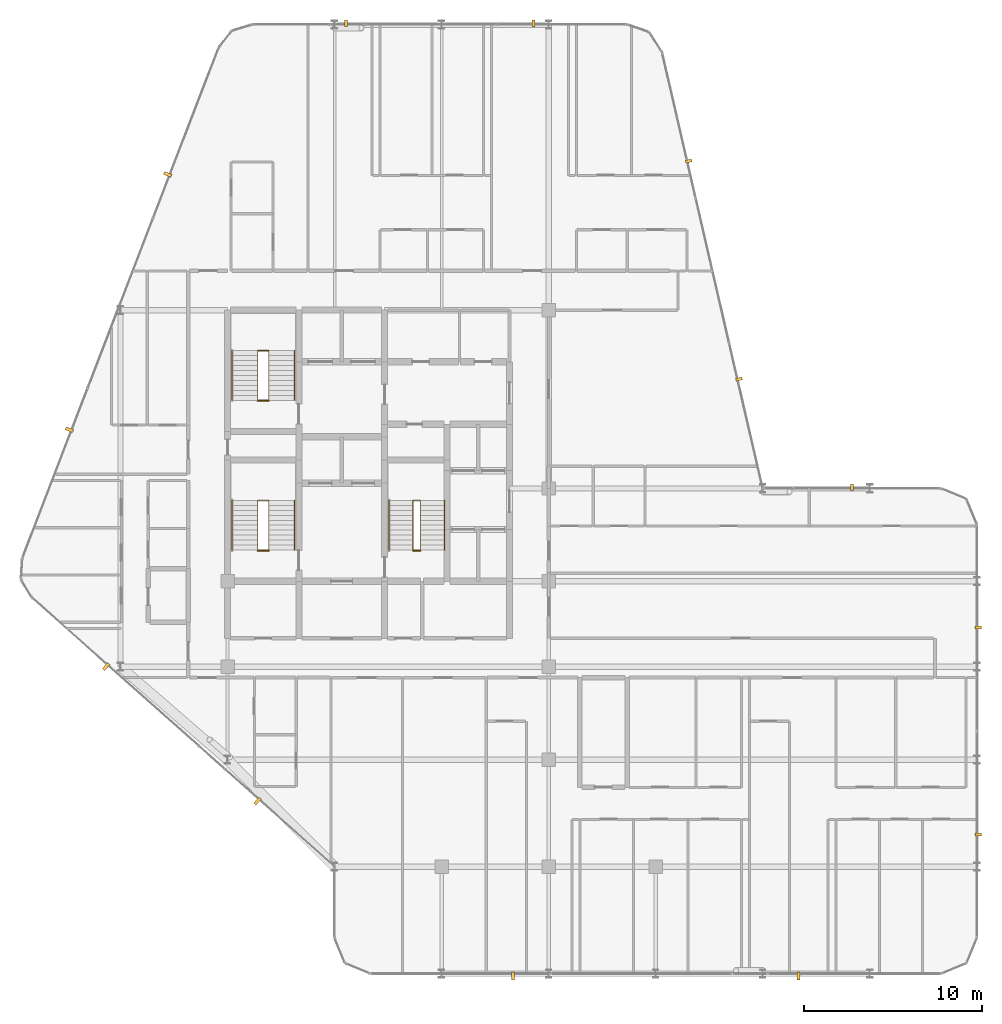
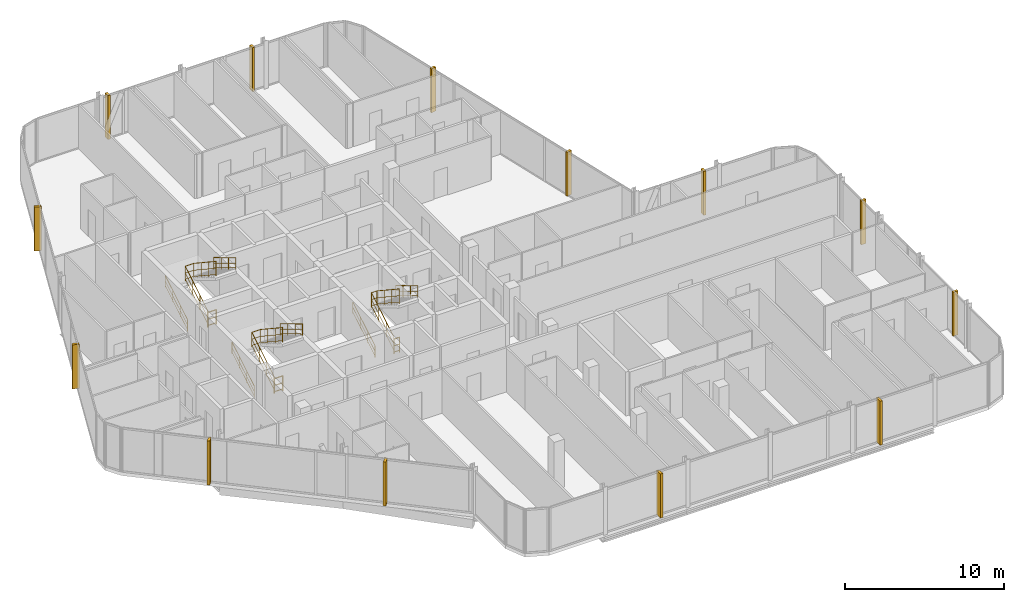
# One storey, part 29 of 29: 13 coverings, 12 railings.
"""IFC4 building model written with IfcOpenShell, lengths in metres."""

from ifc_helpers import new_model, si_unit, direction, frame, origin, origin_2d, place, context, subcontext, project, spatial, rectangle, circle, extrude, material, layer, layer_set, type_object, element, save


model = new_model("IFC4")

# Units and contexts
model_context = context("Model", 3, precision=1e-05, world=origin(), true_north=direction((0.0, 1.0)))
body_context = subcontext(model_context, "Body", "Model", "MODEL_VIEW")
ifc_project = project(units=[si_unit("LENGTHUNIT", "METRE"), si_unit("AREAUNIT", "SQUARE_METRE"), si_unit("VOLUMEUNIT", "CUBIC_METRE"), si_unit("PLANEANGLEUNIT", "RADIAN"), si_unit("MASSUNIT", "GRAM", prefix="KILO")], contexts=[model_context])

# Site, building, storey
site_placement = place(None, origin())
site = spatial("IfcSite", under=ifc_project, at=site_placement, CompositionType="ELEMENT")
building_placement = place(site_placement, origin())
building = spatial("IfcBuilding", under=site, at=building_placement, Name="Keshet Zoharim Tower", CompositionType="ELEMENT")
storey_placement = place(building_placement, frame((0.0, 0.0, 210.60009765625)))
storey = spatial("IfcBuildingStorey", under=building, at=storey_placement, Name="L52", CompositionType="ELEMENT", Elevation=210.60009765625)

# Coverings
ifc_material_1 = material(Name="Concrete C50/60 precast", Category="concrete")
covering_type_1 = type_object("IfcCoveringType", Name="FIN-SOL-360", PredefinedType="CLADDING", material=ifc_material_1)
for number, where, z_axis, x_axis, name in (
    (1, (57.080078125, 20.10009765625, 0.0), (0.0, 0.0, 1.0), (0.0, -1.0, 0.0), "L52 Vertical Precast Solar Fin 01"),
    (2, (57.080078125, 8.5, 0.0), (0.0, 0.0, 1.0), (0.0, -1.0, 0.0), "L52 Vertical Precast Solar Fin 02"),
    (3, (21.633056640625, 53.97998046875, 0.0), (0.0, 0.0, 1.0), (1.0, 0.0, 0.0), "L52 Vertical Precast Solar Fin 09"),
    (4, (32.14990234375, 53.97998046875, 0.0), (0.0, 0.0, 1.0), (1.0, 0.0, 0.0), "L52 Vertical Precast Solar Fin 10"),
    (5, (40.845947265625, 46.2548828125, 0.0), (0.0, 0.0, 1.0), (0.224847864369, -0.974393882313, 0.0), "L52 Vertical Precast Solar Fin 11"),
    (6, (43.6669921875, 34.030029296875, 0.0), (0.0, 0.0, 1.0), (0.224847864369, -0.974393882313, 0.0), "L52 Vertical Precast Solar Fin 12"),
    (7, (50.0, 27.97998046875, 0.0), (0.0, 0.0, 1.0), (1.0, 0.0, 0.0), "L52 Vertical Precast Solar Fin 13"),
):
    element("IfcCovering", number, at=place(storey_placement, frame(where, z_axis=z_axis, x_axis=x_axis)), inside=storey, type_object=covering_type_1, Name=name, PredefinedType="CLADDING", context=body_context, shape_type="SweptSolid", body=[
        extrude(rectangle(XDim=0.159912109375, YDim=0.360107421875, at=origin_2d()), origin(), (0.0, 0.0, 1.0), 3.389892578125),
    ])
covering_type_2 = type_object("IfcCoveringType", Name="FIN-SOL-450", PredefinedType="CLADDING", material=ifc_material_1)
for number, where, z_axis, x_axis, name in (
    (8, (47.0, 0.574951171875, 0.0), (0.0, 0.0, 1.0), (-1.0, 0.0, 0.0), "L52 Vertical Precast Solar Fin 03"),
    (9, (31.0, 0.574951171875, 0.0), (0.0, 0.0, 1.0), (-1.0, 0.0, 0.0), "L52 Vertical Precast Solar Fin 04"),
    (10, (16.676025390625, 10.376953125, 0.0), (0.0, 0.0, 1.0), (-0.747409318679, 0.664363838836, 0.0), "L52 Vertical Precast Solar Fin 05"),
    (11, (8.193115234375, 17.9169921875, 0.0), (0.0, 0.0, 1.0), (-0.747409318679, 0.664363838836, 0.0), "L52 Vertical Precast Solar Fin 06"),
    (12, (6.133056640625, 31.194091796875, 0.0), (0.0, 0.0, 1.0), (0.358990003907, 0.933341404361, 0.0), "L52 Vertical Precast Solar Fin 07"),
    (13, (11.637939453125, 45.507080078125, 0.0), (0.0, 0.0, 1.0), (0.358990003907, 0.933341404361, 0.0), "L52 Vertical Precast Solar Fin 08"),
):
    element("IfcCovering", number, at=place(storey_placement, frame(where, z_axis=z_axis, x_axis=x_axis)), inside=storey, type_object=covering_type_2, Name=name, PredefinedType="CLADDING", context=body_context, shape_type="SweptSolid", body=[
        extrude(rectangle(XDim=0.179931640625, YDim=0.449951171875, at=origin_2d()), origin(), (0.0, 0.0, 1.0), 3.389892578125),
    ])

# Railings
ifc_material_2 = material(Name="Steel S355", Category="steel")
ifc_layer_1 = layer(ifc_material_2, 0.050048828125)
ifc_layer_set_1 = layer_set([ifc_layer_1], Name="Steel S355")
railing_type_1 = type_object("IfcRailingType", Name="RL-HND-092", PredefinedType="HANDRAIL", material=ifc_layer_set_1)
railing_1_placement = place(storey_placement, frame((15.239990234375, 24.43994140625, 0.168212890625)))
element("IfcRailing", 14, at=railing_1_placement, inside=storey, type_object=railing_type_1, Name="L52 ST-01 Flight 1 Wall Handrail", PredefinedType="HANDRAIL", context=body_context, shape_type="SweptSolid", body=[
    extrude(circle(Radius=0.02392578125, at=origin_2d()), frame((0.0, 0.0, 0.89599609375), z_axis=(0.0, 0.857275202839, 0.514858452973), x_axis=(-1.0, 0.0, 0.0)), (0.0, 0.0, 1.0), 3.26611328125),
    extrude(circle(Radius=0.01611328125, at=origin_2d()), frame((0.0, 0.0, 0.478271484375), z_axis=(0.0, 0.857275202839, 0.514858452973), x_axis=(-1.0, 0.0, 0.0)), (0.0, 0.0, 1.0), 3.26611328125),
    extrude(circle(Radius=0.01611328125, at=origin_2d()), frame((0.0, 0.0, 0.1201171875), z_axis=(0.0, 0.857275202839, 0.514858452973), x_axis=(-1.0, 0.0, 0.0)), (0.0, 0.0, 1.0), 3.26611328125),
    extrude(circle(Radius=0.02099609375, at=origin_2d()), origin(), (0.0, 0.0, 1.0), 0.871826171875),
    extrude(circle(Radius=0.02099609375, at=origin_2d()), frame((0.0, 0.933349609375, 0.560546875)), (0.0, 0.0, 1.0), 0.871826171875),
    extrude(circle(Radius=0.02099609375, at=origin_2d()), frame((0.0, 1.86669921875, 1.12109375)), (0.0, 0.0, 1.0), 0.871826171875),
    extrude(circle(Radius=0.02099609375, at=origin_2d()), frame((0.0, 2.800048828125, 1.681640625)), (0.0, 0.0, 1.0), 0.871826171875),
])
railing_2_placement = place(storey_placement, frame((18.760009765625, 27.239990234375, 2.01806640625)))
element("IfcRailing", 15, at=railing_2_placement, inside=storey, type_object=railing_type_1, Name="L52 ST-01 Flight 2 Wall Handrail", PredefinedType="HANDRAIL", context=body_context, shape_type="SweptSolid", body=[
    extrude(circle(Radius=0.02392578125, at=origin_2d()), frame((0.0, 0.0, 0.89599609375), z_axis=(0.0, -0.857242210791, 0.514913383045), x_axis=(1.0, 0.0, 0.0)), (0.0, 0.0, 1.0), 3.266357421875),
    extrude(circle(Radius=0.01611328125, at=origin_2d()), frame((0.0, 0.0, 0.478271484375), z_axis=(0.0, -0.857242210791, 0.514913383045), x_axis=(1.0, 0.0, 0.0)), (0.0, 0.0, 1.0), 3.266357421875),
    extrude(circle(Radius=0.01611328125, at=origin_2d()), frame((0.0, 0.0, 0.1201171875), z_axis=(0.0, -0.857242210791, 0.514913383045), x_axis=(1.0, 0.0, 0.0)), (0.0, 0.0, 1.0), 3.266357421875),
    extrude(circle(Radius=0.02099609375, at=origin_2d()), origin(), (0.0, 0.0, 1.0), 0.871826171875),
    extrude(circle(Radius=0.02099609375, at=origin_2d()), frame((0.0, -0.933349609375, 0.560546875)), (0.0, 0.0, 1.0), 0.871826171875),
    extrude(circle(Radius=0.02099609375, at=origin_2d()), frame((0.0, -1.86669921875, 1.121337890625)), (0.0, 0.0, 1.0), 0.871826171875),
    extrude(circle(Radius=0.02099609375, at=origin_2d()), frame((0.0, -2.800048828125, 1.681884765625)), (0.0, 0.0, 1.0), 0.871826171875),
])
railing_3_placement = place(storey_placement, frame((15.239990234375, 32.840087890625, 0.168212890625)))
element("IfcRailing", 16, at=railing_3_placement, inside=storey, type_object=railing_type_1, Name="L52 ST-02 Flight 1 Wall Handrail", PredefinedType="HANDRAIL", context=body_context, shape_type="SweptSolid", body=[
    extrude(circle(Radius=0.02392578125, at=origin_2d()), frame((0.0, 0.0, 0.89599609375), z_axis=(0.0, 0.857255387014, 0.514891446264), x_axis=(-1.0, 0.0, 0.0)), (0.0, 0.0, 1.0), 3.26611328125),
    extrude(circle(Radius=0.01611328125, at=origin_2d()), frame((0.0, 0.0, 0.478271484375), z_axis=(0.0, 0.857255387014, 0.514891446264), x_axis=(-1.0, 0.0, 0.0)), (0.0, 0.0, 1.0), 3.26611328125),
    extrude(circle(Radius=0.01611328125, at=origin_2d()), frame((0.0, 0.0, 0.1201171875), z_axis=(0.0, 0.857255387014, 0.514891446264), x_axis=(-1.0, 0.0, 0.0)), (0.0, 0.0, 1.0), 3.26611328125),
    extrude(circle(Radius=0.02099609375, at=origin_2d()), origin(), (0.0, 0.0, 1.0), 0.871826171875),
    extrude(circle(Radius=0.02099609375, at=origin_2d()), frame((0.0, 0.933349609375, 0.560546875)), (0.0, 0.0, 1.0), 0.871826171875),
    extrude(circle(Radius=0.02099609375, at=origin_2d()), frame((0.0, 1.866455078125, 1.12109375)), (0.0, 0.0, 1.0), 0.871826171875),
    extrude(circle(Radius=0.02099609375, at=origin_2d()), frame((0.0, 2.7998046875, 1.681640625)), (0.0, 0.0, 1.0), 0.871826171875),
])
railing_4_placement = place(storey_placement, frame((18.760009765625, 35.639892578125, 2.01806640625)))
element("IfcRailing", 17, at=railing_4_placement, inside=storey, type_object=railing_type_1, Name="L52 ST-02 Flight 2 Wall Handrail", PredefinedType="HANDRAIL", context=body_context, shape_type="SweptSolid", body=[
    extrude(circle(Radius=0.02392578125, at=origin_2d()), frame((0.0, 0.0, 0.89599609375), z_axis=(0.0, -0.857222391501, 0.514946377315), x_axis=(1.0, 0.0, 0.0)), (0.0, 0.0, 1.0), 3.26611328125),
    extrude(circle(Radius=0.01611328125, at=origin_2d()), frame((0.0, 0.0, 0.478271484375), z_axis=(0.0, -0.857222391501, 0.514946377315), x_axis=(1.0, 0.0, 0.0)), (0.0, 0.0, 1.0), 3.26611328125),
    extrude(circle(Radius=0.01611328125, at=origin_2d()), frame((0.0, 0.0, 0.1201171875), z_axis=(0.0, -0.857222391501, 0.514946377315), x_axis=(1.0, 0.0, 0.0)), (0.0, 0.0, 1.0), 3.26611328125),
    extrude(circle(Radius=0.02099609375, at=origin_2d()), origin(), (0.0, 0.0, 1.0), 0.871826171875),
    extrude(circle(Radius=0.02099609375, at=origin_2d()), frame((0.0, -0.933349609375, 0.560546875)), (0.0, 0.0, 1.0), 0.871826171875),
    extrude(circle(Radius=0.02099609375, at=origin_2d()), frame((0.0, -1.866455078125, 1.121337890625)), (0.0, 0.0, 1.0), 0.871826171875),
    extrude(circle(Radius=0.02099609375, at=origin_2d()), frame((0.0, -2.7998046875, 1.681884765625)), (0.0, 0.0, 1.0), 0.871826171875),
])
railing_5_placement = place(storey_placement, frame((24.0400390625, 24.43994140625, 0.168212890625)))
element("IfcRailing", 18, at=railing_5_placement, inside=storey, type_object=railing_type_1, Name="L52 ST-03 Flight 1 Wall Handrail", PredefinedType="HANDRAIL", context=body_context, shape_type="SweptSolid", body=[
    extrude(circle(Radius=0.02392578125, at=origin_2d()), frame((0.0, 0.0, 0.89599609375), z_axis=(0.0, 0.857275202839, 0.514858452973), x_axis=(-1.0, 0.0, 0.0)), (0.0, 0.0, 1.0), 3.26611328125),
    extrude(circle(Radius=0.01611328125, at=origin_2d()), frame((0.0, 0.0, 0.478271484375), z_axis=(0.0, 0.857275202839, 0.514858452973), x_axis=(-1.0, 0.0, 0.0)), (0.0, 0.0, 1.0), 3.26611328125),
    extrude(circle(Radius=0.01611328125, at=origin_2d()), frame((0.0, 0.0, 0.1201171875), z_axis=(0.0, 0.857275202839, 0.514858452973), x_axis=(-1.0, 0.0, 0.0)), (0.0, 0.0, 1.0), 3.26611328125),
    extrude(circle(Radius=0.02099609375, at=origin_2d()), origin(), (0.0, 0.0, 1.0), 0.871826171875),
    extrude(circle(Radius=0.02099609375, at=origin_2d()), frame((0.0, 0.933349609375, 0.560546875)), (0.0, 0.0, 1.0), 0.871826171875),
    extrude(circle(Radius=0.02099609375, at=origin_2d()), frame((0.0, 1.86669921875, 1.12109375)), (0.0, 0.0, 1.0), 0.871826171875),
    extrude(circle(Radius=0.02099609375, at=origin_2d()), frame((0.0, 2.800048828125, 1.681640625)), (0.0, 0.0, 1.0), 0.871826171875),
])
railing_6_placement = place(storey_placement, frame((27.159912109375, 27.239990234375, 2.01806640625)))
element("IfcRailing", 19, at=railing_6_placement, inside=storey, type_object=railing_type_1, Name="L52 ST-03 Flight 2 Wall Handrail", PredefinedType="HANDRAIL", context=body_context, shape_type="SweptSolid", body=[
    extrude(circle(Radius=0.02392578125, at=origin_2d()), frame((0.0, 0.0, 0.89599609375), z_axis=(0.0, -0.857242210791, 0.514913383045), x_axis=(1.0, 0.0, 0.0)), (0.0, 0.0, 1.0), 3.266357421875),
    extrude(circle(Radius=0.01611328125, at=origin_2d()), frame((0.0, 0.0, 0.478271484375), z_axis=(0.0, -0.857242210791, 0.514913383045), x_axis=(1.0, 0.0, 0.0)), (0.0, 0.0, 1.0), 3.266357421875),
    extrude(circle(Radius=0.01611328125, at=origin_2d()), frame((0.0, 0.0, 0.1201171875), z_axis=(0.0, -0.857242210791, 0.514913383045), x_axis=(1.0, 0.0, 0.0)), (0.0, 0.0, 1.0), 3.266357421875),
    extrude(circle(Radius=0.02099609375, at=origin_2d()), origin(), (0.0, 0.0, 1.0), 0.871826171875),
    extrude(circle(Radius=0.02099609375, at=origin_2d()), frame((0.0, -0.933349609375, 0.560546875)), (0.0, 0.0, 1.0), 0.871826171875),
    extrude(circle(Radius=0.02099609375, at=origin_2d()), frame((0.0, -1.86669921875, 1.121337890625)), (0.0, 0.0, 1.0), 0.871826171875),
    extrude(circle(Radius=0.02099609375, at=origin_2d()), frame((0.0, -2.800048828125, 1.681884765625)), (0.0, 0.0, 1.0), 0.871826171875),
])
ifc_layer_2 = layer(ifc_material_2, 0.06005859375)
ifc_layer_set_2 = layer_set([ifc_layer_2], Name="Steel S355")
railing_type_2 = type_object("IfcRailingType", Name="RL-STG-115", PredefinedType="GUARDRAIL", material=ifc_layer_set_2)
railing_7_placement = place(storey_placement, frame((16.68994140625, 24.43994140625, 0.168212890625)))
element("IfcRailing", 20, at=railing_7_placement, inside=storey, type_object=railing_type_2, Name="L52 ST-01 Inner Well Guardrail", PredefinedType="GUARDRAIL", context=body_context, shape_type="SweptSolid", body=[
    extrude(circle(Radius=0.02392578125, at=origin_2d()), frame((0.0, 0.0, 1.1259765625), z_axis=(0.0, 0.857275202839, 0.514858452973), x_axis=(-1.0, 0.0, 0.0)), (0.0, 0.0, 1.0), 3.26611328125),
    extrude(circle(Radius=0.01611328125, at=origin_2d()), frame((0.0, 0.0, 0.597900390625), z_axis=(0.0, 0.857275202839, 0.514858452973), x_axis=(-1.0, 0.0, 0.0)), (0.0, 0.0, 1.0), 3.26611328125),
    extrude(circle(Radius=0.01611328125, at=origin_2d()), frame((0.0, 0.0, 0.1201171875), z_axis=(0.0, 0.857275202839, 0.514858452973), x_axis=(-1.0, 0.0, 0.0)), (0.0, 0.0, 1.0), 3.26611328125),
    extrude(circle(Radius=0.02392578125, at=origin_2d()), frame((0.0, 2.800048828125, 2.8076171875), z_axis=(1.0, 0.0, 0.0), x_axis=(0.0, 1.0, 0.0)), (0.0, 0.0, 1.0), 0.6201171875),
    extrude(circle(Radius=0.01611328125, at=origin_2d()), frame((0.0, 2.800048828125, 2.279541015625), z_axis=(1.0, 0.0, 0.0), x_axis=(0.0, 1.0, 0.0)), (0.0, 0.0, 1.0), 0.6201171875),
    extrude(circle(Radius=0.01611328125, at=origin_2d()), frame((0.0, 2.800048828125, 1.8017578125), z_axis=(1.0, 0.0, 0.0), x_axis=(0.0, 1.0, 0.0)), (0.0, 0.0, 1.0), 0.6201171875),
    extrude(circle(Radius=0.02392578125, at=origin_2d()), frame((0.6201171875, 2.800048828125, 2.8076171875), z_axis=(0.0, -0.834326358476, 0.551270829586), x_axis=(1.0, 0.0, 0.0)), (0.0, 0.0, 1.0), 3.35595703125),
    extrude(circle(Radius=0.01611328125, at=origin_2d()), frame((0.6201171875, 2.800048828125, 2.279541015625), z_axis=(0.0, -0.834326358476, 0.551270829586), x_axis=(1.0, 0.0, 0.0)), (0.0, 0.0, 1.0), 3.35595703125),
    extrude(circle(Radius=0.01611328125, at=origin_2d()), frame((0.6201171875, 2.800048828125, 1.8017578125), z_axis=(0.0, -0.834326358476, 0.551270829586), x_axis=(1.0, 0.0, 0.0)), (0.0, 0.0, 1.0), 3.35595703125),
    extrude(circle(Radius=0.02099609375, at=origin_2d()), origin(), (0.0, 0.0, 1.0), 1.101806640625),
    extrude(circle(Radius=0.02099609375, at=origin_2d()), frame((0.0, 0.933349609375, 0.560546875)), (0.0, 0.0, 1.0), 1.101806640625),
    extrude(circle(Radius=0.02099609375, at=origin_2d()), frame((0.0, 1.86669921875, 1.12109375)), (0.0, 0.0, 1.0), 1.101806640625),
    extrude(circle(Radius=0.02099609375, at=origin_2d()), frame((0.0, 2.800048828125, 1.681640625)), (0.0, 0.0, 1.0), 1.101806640625),
    extrude(circle(Radius=0.02099609375, at=origin_2d()), frame((0.6201171875, 2.800048828125, 1.681640625)), (0.0, 0.0, 1.0), 1.101806640625),
    extrude(circle(Radius=0.02099609375, at=origin_2d()), frame((0.6201171875, 1.86669921875, 2.29833984375)), (0.0, 0.0, 1.0), 1.101806640625),
    extrude(circle(Radius=0.02099609375, at=origin_2d()), frame((0.6201171875, 0.933349609375, 2.9150390625)), (0.0, 0.0, 1.0), 1.101806640625),
    extrude(circle(Radius=0.02099609375, at=origin_2d()), frame((0.6201171875, 0.0, 3.53173828125)), (0.0, 0.0, 1.0), 1.101806640625),
])
railing_8_placement = place(storey_placement, frame((16.68994140625, 24.409912109375, 0.0)))
element("IfcRailing", 21, at=railing_8_placement, inside=storey, type_object=railing_type_2, Name="L52 ST-01 Stairwell Floor Guardrail", PredefinedType="GUARDRAIL", context=body_context, shape_type="SweptSolid", body=[
    extrude(circle(Radius=0.02392578125, at=origin_2d()), frame((0.0, 0.0, 1.1259765625), z_axis=(1.0, 0.0, 0.0), x_axis=(0.0, 1.0, 0.0)), (0.0, 0.0, 1.0), 0.6201171875),
    extrude(circle(Radius=0.01611328125, at=origin_2d()), frame((0.0, 0.0, 0.597900390625), z_axis=(1.0, 0.0, 0.0), x_axis=(0.0, 1.0, 0.0)), (0.0, 0.0, 1.0), 0.6201171875),
    extrude(circle(Radius=0.01611328125, at=origin_2d()), frame((0.0, 0.0, 0.1201171875), z_axis=(1.0, 0.0, 0.0), x_axis=(0.0, 1.0, 0.0)), (0.0, 0.0, 1.0), 0.6201171875),
    extrude(circle(Radius=0.02099609375, at=origin_2d()), origin(), (0.0, 0.0, 1.0), 1.101806640625),
    extrude(circle(Radius=0.02099609375, at=origin_2d()), frame((0.6201171875, 0.0, 0.0)), (0.0, 0.0, 1.0), 1.101806640625),
])
railing_9_placement = place(storey_placement, frame((16.68994140625, 32.840087890625, 0.168212890625)))
element("IfcRailing", 22, at=railing_9_placement, inside=storey, type_object=railing_type_2, Name="L52 ST-02 Inner Well Guardrail", PredefinedType="GUARDRAIL", context=body_context, shape_type="SweptSolid", body=[
    extrude(circle(Radius=0.02392578125, at=origin_2d()), frame((0.0, 0.0, 1.1259765625), z_axis=(0.0, 0.857255387014, 0.514891446264), x_axis=(-1.0, 0.0, 0.0)), (0.0, 0.0, 1.0), 3.26611328125),
    extrude(circle(Radius=0.01611328125, at=origin_2d()), frame((0.0, 0.0, 0.597900390625), z_axis=(0.0, 0.857255387014, 0.514891446264), x_axis=(-1.0, 0.0, 0.0)), (0.0, 0.0, 1.0), 3.26611328125),
    extrude(circle(Radius=0.01611328125, at=origin_2d()), frame((0.0, 0.0, 0.1201171875), z_axis=(0.0, 0.857255387014, 0.514891446264), x_axis=(-1.0, 0.0, 0.0)), (0.0, 0.0, 1.0), 3.26611328125),
    extrude(circle(Radius=0.02392578125, at=origin_2d()), frame((0.0, 2.7998046875, 2.8076171875), z_axis=(1.0, 0.0, 0.0), x_axis=(0.0, 1.0, 0.0)), (0.0, 0.0, 1.0), 0.6201171875),
    extrude(circle(Radius=0.01611328125, at=origin_2d()), frame((0.0, 2.7998046875, 2.279541015625), z_axis=(1.0, 0.0, 0.0), x_axis=(0.0, 1.0, 0.0)), (0.0, 0.0, 1.0), 0.6201171875),
    extrude(circle(Radius=0.01611328125, at=origin_2d()), frame((0.0, 2.7998046875, 1.8017578125), z_axis=(1.0, 0.0, 0.0), x_axis=(0.0, 1.0, 0.0)), (0.0, 0.0, 1.0), 0.6201171875),
    extrude(circle(Radius=0.02392578125, at=origin_2d()), frame((0.6201171875, 2.7998046875, 2.8076171875), z_axis=(0.0, -0.834304248922, 0.551304290053), x_axis=(1.0, 0.0, 0.0)), (0.0, 0.0, 1.0), 3.35595703125),
    extrude(circle(Radius=0.01611328125, at=origin_2d()), frame((0.6201171875, 2.7998046875, 2.279541015625), z_axis=(0.0, -0.834304248922, 0.551304290053), x_axis=(1.0, 0.0, 0.0)), (0.0, 0.0, 1.0), 3.35595703125),
    extrude(circle(Radius=0.01611328125, at=origin_2d()), frame((0.6201171875, 2.7998046875, 1.8017578125), z_axis=(0.0, -0.834304248922, 0.551304290053), x_axis=(1.0, 0.0, 0.0)), (0.0, 0.0, 1.0), 3.35595703125),
    extrude(circle(Radius=0.02099609375, at=origin_2d()), origin(), (0.0, 0.0, 1.0), 1.101806640625),
    extrude(circle(Radius=0.02099609375, at=origin_2d()), frame((0.0, 0.933349609375, 0.560546875)), (0.0, 0.0, 1.0), 1.101806640625),
    extrude(circle(Radius=0.02099609375, at=origin_2d()), frame((0.0, 1.866455078125, 1.12109375)), (0.0, 0.0, 1.0), 1.101806640625),
    extrude(circle(Radius=0.02099609375, at=origin_2d()), frame((0.0, 2.7998046875, 1.681640625)), (0.0, 0.0, 1.0), 1.101806640625),
    extrude(circle(Radius=0.02099609375, at=origin_2d()), frame((0.6201171875, 2.7998046875, 1.681640625)), (0.0, 0.0, 1.0), 1.101806640625),
    extrude(circle(Radius=0.02099609375, at=origin_2d()), frame((0.6201171875, 1.866455078125, 2.29833984375)), (0.0, 0.0, 1.0), 1.101806640625),
    extrude(circle(Radius=0.02099609375, at=origin_2d()), frame((0.6201171875, 0.933349609375, 2.9150390625)), (0.0, 0.0, 1.0), 1.101806640625),
    extrude(circle(Radius=0.02099609375, at=origin_2d()), frame((0.6201171875, 0.0, 3.53173828125)), (0.0, 0.0, 1.0), 1.101806640625),
])
railing_10_placement = place(storey_placement, frame((16.68994140625, 32.81005859375, 0.0)))
element("IfcRailing", 23, at=railing_10_placement, inside=storey, type_object=railing_type_2, Name="L52 ST-02 Stairwell Floor Guardrail", PredefinedType="GUARDRAIL", context=body_context, shape_type="SweptSolid", body=[
    extrude(circle(Radius=0.02392578125, at=origin_2d()), frame((0.0, 0.0, 1.1259765625), z_axis=(1.0, 0.0, 0.0), x_axis=(0.0, 1.0, 0.0)), (0.0, 0.0, 1.0), 0.6201171875),
    extrude(circle(Radius=0.01611328125, at=origin_2d()), frame((0.0, 0.0, 0.597900390625), z_axis=(1.0, 0.0, 0.0), x_axis=(0.0, 1.0, 0.0)), (0.0, 0.0, 1.0), 0.6201171875),
    extrude(circle(Radius=0.01611328125, at=origin_2d()), frame((0.0, 0.0, 0.1201171875), z_axis=(1.0, 0.0, 0.0), x_axis=(0.0, 1.0, 0.0)), (0.0, 0.0, 1.0), 0.6201171875),
    extrude(circle(Radius=0.02099609375, at=origin_2d()), origin(), (0.0, 0.0, 1.0), 1.101806640625),
    extrude(circle(Radius=0.02099609375, at=origin_2d()), frame((0.6201171875, 0.0, 0.0)), (0.0, 0.0, 1.0), 1.101806640625),
])
railing_11_placement = place(storey_placement, frame((25.39990234375, 24.43994140625, 0.168212890625)))
element("IfcRailing", 24, at=railing_11_placement, inside=storey, type_object=railing_type_2, Name="L52 ST-03 Inner Well Guardrail", PredefinedType="GUARDRAIL", context=body_context, shape_type="SweptSolid", body=[
    extrude(circle(Radius=0.02392578125, at=origin_2d()), frame((0.0, 0.0, 1.1259765625), z_axis=(0.0, 0.857275202839, 0.514858452973), x_axis=(-1.0, 0.0, 0.0)), (0.0, 0.0, 1.0), 3.26611328125),
    extrude(circle(Radius=0.01611328125, at=origin_2d()), frame((0.0, 0.0, 0.597900390625), z_axis=(0.0, 0.857275202839, 0.514858452973), x_axis=(-1.0, 0.0, 0.0)), (0.0, 0.0, 1.0), 3.26611328125),
    extrude(circle(Radius=0.01611328125, at=origin_2d()), frame((0.0, 0.0, 0.1201171875), z_axis=(0.0, 0.857275202839, 0.514858452973), x_axis=(-1.0, 0.0, 0.0)), (0.0, 0.0, 1.0), 3.26611328125),
    extrude(circle(Radius=0.02392578125, at=origin_2d()), frame((0.0, 2.800048828125, 2.8076171875), z_axis=(1.0, 0.0, 0.0), x_axis=(0.0, 1.0, 0.0)), (0.0, 0.0, 1.0), 0.400146484375),
    extrude(circle(Radius=0.01611328125, at=origin_2d()), frame((0.0, 2.800048828125, 2.279541015625), z_axis=(1.0, 0.0, 0.0), x_axis=(0.0, 1.0, 0.0)), (0.0, 0.0, 1.0), 0.400146484375),
    extrude(circle(Radius=0.01611328125, at=origin_2d()), frame((0.0, 2.800048828125, 1.8017578125), z_axis=(1.0, 0.0, 0.0), x_axis=(0.0, 1.0, 0.0)), (0.0, 0.0, 1.0), 0.400146484375),
    extrude(circle(Radius=0.02392578125, at=origin_2d()), frame((0.400146484375, 2.800048828125, 2.8076171875), z_axis=(0.0, -0.834326358476, 0.551270829586), x_axis=(1.0, 0.0, 0.0)), (0.0, 0.0, 1.0), 3.35595703125),
    extrude(circle(Radius=0.01611328125, at=origin_2d()), frame((0.400146484375, 2.800048828125, 2.279541015625), z_axis=(0.0, -0.834326358476, 0.551270829586), x_axis=(1.0, 0.0, 0.0)), (0.0, 0.0, 1.0), 3.35595703125),
    extrude(circle(Radius=0.01611328125, at=origin_2d()), frame((0.400146484375, 2.800048828125, 1.8017578125), z_axis=(0.0, -0.834326358476, 0.551270829586), x_axis=(1.0, 0.0, 0.0)), (0.0, 0.0, 1.0), 3.35595703125),
    extrude(circle(Radius=0.02099609375, at=origin_2d()), origin(), (0.0, 0.0, 1.0), 1.101806640625),
    extrude(circle(Radius=0.02099609375, at=origin_2d()), frame((0.0, 0.933349609375, 0.560546875)), (0.0, 0.0, 1.0), 1.101806640625),
    extrude(circle(Radius=0.02099609375, at=origin_2d()), frame((0.0, 1.86669921875, 1.12109375)), (0.0, 0.0, 1.0), 1.101806640625),
    extrude(circle(Radius=0.02099609375, at=origin_2d()), frame((0.0, 2.800048828125, 1.681640625)), (0.0, 0.0, 1.0), 1.101806640625),
    extrude(circle(Radius=0.02099609375, at=origin_2d()), frame((0.400146484375, 2.800048828125, 1.681640625)), (0.0, 0.0, 1.0), 1.101806640625),
    extrude(circle(Radius=0.02099609375, at=origin_2d()), frame((0.400146484375, 1.86669921875, 2.29833984375)), (0.0, 0.0, 1.0), 1.101806640625),
    extrude(circle(Radius=0.02099609375, at=origin_2d()), frame((0.400146484375, 0.933349609375, 2.9150390625)), (0.0, 0.0, 1.0), 1.101806640625),
    extrude(circle(Radius=0.02099609375, at=origin_2d()), frame((0.400146484375, 0.0, 3.53173828125)), (0.0, 0.0, 1.0), 1.101806640625),
])
railing_12_placement = place(storey_placement, frame((25.39990234375, 24.409912109375, 0.0)))
element("IfcRailing", 25, at=railing_12_placement, inside=storey, type_object=railing_type_2, Name="L52 ST-03 Stairwell Floor Guardrail", PredefinedType="GUARDRAIL", context=body_context, shape_type="SweptSolid", body=[
    extrude(circle(Radius=0.02392578125, at=origin_2d()), frame((0.0, 0.0, 1.1259765625), z_axis=(1.0, 0.0, 0.0), x_axis=(0.0, 1.0, 0.0)), (0.0, 0.0, 1.0), 0.400146484375),
    extrude(circle(Radius=0.01611328125, at=origin_2d()), frame((0.0, 0.0, 0.597900390625), z_axis=(1.0, 0.0, 0.0), x_axis=(0.0, 1.0, 0.0)), (0.0, 0.0, 1.0), 0.400146484375),
    extrude(circle(Radius=0.01611328125, at=origin_2d()), frame((0.0, 0.0, 0.1201171875), z_axis=(1.0, 0.0, 0.0), x_axis=(0.0, 1.0, 0.0)), (0.0, 0.0, 1.0), 0.400146484375),
    extrude(circle(Radius=0.02099609375, at=origin_2d()), origin(), (0.0, 0.0, 1.0), 1.101806640625),
    extrude(circle(Radius=0.02099609375, at=origin_2d()), frame((0.400146484375, 0.0, 0.0)), (0.0, 0.0, 1.0), 1.101806640625),
])

save(model, "model.ifc")
